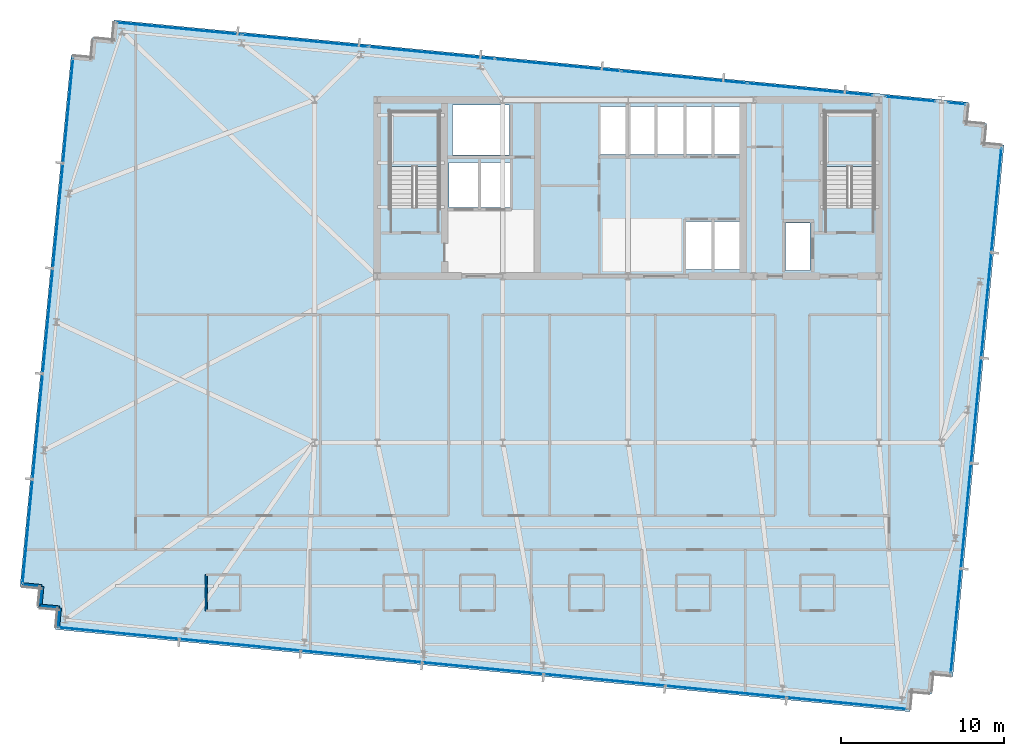
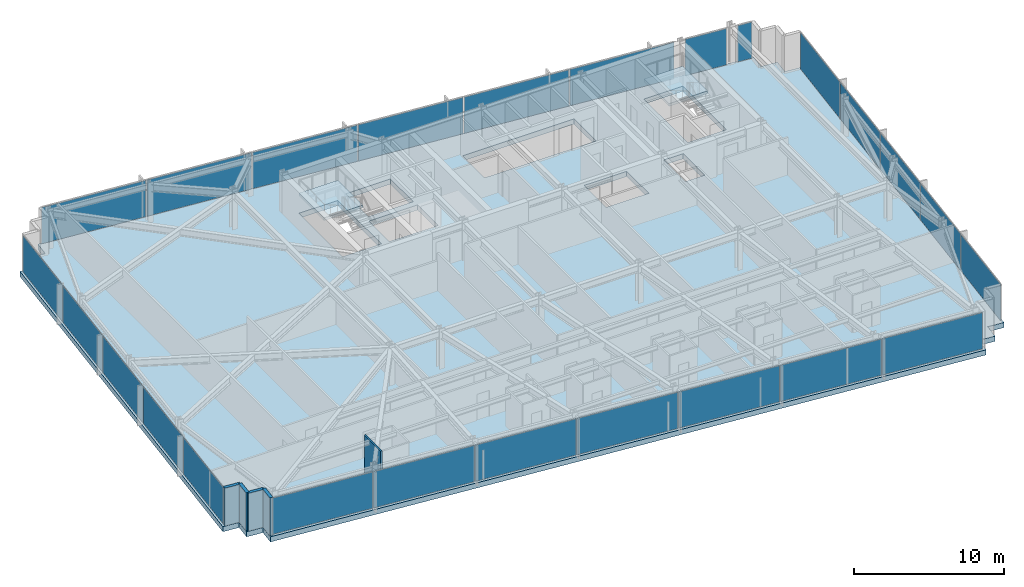
# One storey, part 28 of 37: 25 plates, 5 walls, 3 slabs, 8 elements without a shape of their own.
"""IFC4 building model written with IfcOpenShell, lengths in metres."""

from ifc_helpers import new_model, si_unit, direction, frame, frame_2d, origin, origin_2d, place, context, subcontext, project, spatial, polyline, rectangle, outline, extrude, material, layer, layer_set, type_object, element, aggregate, save


model = new_model("IFC4")

# Units and contexts
model_context = context("Model", 3, precision=1e-05, world=origin(), true_north=direction((0.0, 1.0)))
body_context = subcontext(model_context, "Body", "Model", "MODEL_VIEW")
ifc_project = project(units=[si_unit("LENGTHUNIT", "METRE"), si_unit("AREAUNIT", "SQUARE_METRE"), si_unit("VOLUMEUNIT", "CUBIC_METRE"), si_unit("PLANEANGLEUNIT", "RADIAN"), si_unit("MASSUNIT", "GRAM", prefix="KILO")], contexts=[model_context])

# Site, building, storey
site_placement = place(None, origin())
site = spatial("IfcSite", under=ifc_project, at=site_placement, CompositionType="ELEMENT")
building_placement = place(site_placement, origin())
building = spatial("IfcBuilding", under=site, at=building_placement, Name="Yelkora Congress Tower", CompositionType="ELEMENT")
storey_placement = place(building_placement, frame((0.0, 0.0, 149.0)))
storey = spatial("IfcBuildingStorey", under=building, at=storey_placement, Name="L40", CompositionType="ELEMENT", Elevation=149.0)

# Curtain wall, plates
ifc_material_1 = material(Name="Anodised aluminium and insulated glass", Category="aluminium")
curtain_wall_type = type_object("IfcCurtainWallType", Name="CW-SYS-B3", PredefinedType="NOTDEFINED", material=ifc_material_1)
curtain_wall_1_placement = place(storey_placement, origin())
curtain_wall_1 = element("IfcCurtainWall", 1, at=curtain_wall_1_placement, inside=storey, type_object=curtain_wall_type, Name="L40 Unitised Curtain Wall 5", PredefinedType="NOTDEFINED")
ifc_material_2 = material(Name="Acoustic laminated hotel glass unit B3", Category="glass")
ifc_layer_1 = layer(ifc_material_2, 0.0419921875)
ifc_layer_set_1 = layer_set([ifc_layer_1], Name="Acoustic laminated hotel glass unit B3")
plate_type = type_object("IfcPlateType", Name="PLT-PN-B3", PredefinedType="CURTAIN_PANEL", material=ifc_layer_set_1)
plate_1_placement = place(storey_placement, frame((1.61572265625, 19.75244140625, 0.06005859375), z_axis=(0.0, 0.0, 1.0), x_axis=(0.095845294465, 0.995396242473, 0.0)))
plate_1 = element("IfcPlate", 2, at=plate_1_placement, type_object=plate_type, Name="CW-B3 panel 1.1", PredefinedType="CURTAIN_PANEL", context=body_context, shape_type="SweptSolid", body=[
    extrude(rectangle(XDim=6.37890625, YDim=0.0419921875, at=origin_2d()), origin(), (0.0, 0.0, 1.0), 2.9599609375),
])
plate_2_placement = place(storey_placement, frame((2.235595703125, 26.189208984375, 0.06005859375), z_axis=(0.0, 0.0, 1.0), x_axis=(0.095845294465, 0.995396242473, 0.0)))
plate_2 = element("IfcPlate", 3, at=plate_2_placement, type_object=plate_type, Name="CW-B3 panel 2.1", PredefinedType="CURTAIN_PANEL", context=body_context, shape_type="SweptSolid", body=[
    extrude(rectangle(XDim=6.4140625, YDim=0.0419921875, at=origin_2d()), origin(), (0.0, 0.0, 1.0), 2.9599609375),
])
plate_3_placement = place(storey_placement, frame((2.85693359375, 32.643310546875, 0.06005859375), z_axis=(0.0, 0.0, 1.0), x_axis=(0.095845294465, 0.995396242473, 0.0)))
plate_3 = element("IfcPlate", 4, at=plate_3_placement, type_object=plate_type, Name="CW-B3 panel 3.1", PredefinedType="CURTAIN_PANEL", context=body_context, shape_type="SweptSolid", body=[
    extrude(rectangle(XDim=6.4140625, YDim=0.0419921875, at=origin_2d()), origin(), (0.0, 0.0, 1.0), 2.9599609375),
])
plate_4_placement = place(storey_placement, frame((3.478515625, 39.097412109375, 0.06005859375), z_axis=(0.0, 0.0, 1.0), x_axis=(0.095845294465, 0.995396242473, 0.0)))
plate_4 = element("IfcPlate", 5, at=plate_4_placement, type_object=plate_type, Name="CW-B3 panel 4.1", PredefinedType="CURTAIN_PANEL", context=body_context, shape_type="SweptSolid", body=[
    extrude(rectangle(XDim=6.4140625, YDim=0.0419921875, at=origin_2d()), origin(), (0.0, 0.0, 1.0), 2.9599609375),
])
plate_5_placement = place(storey_placement, frame((4.09814453125, 45.5341796875, 0.06005859375), z_axis=(0.0, 0.0, 1.0), x_axis=(0.095845294465, 0.995396242473, 0.0)))
plate_5 = element("IfcPlate", 6, at=plate_5_placement, type_object=plate_type, Name="CW-B3 panel 5.1", PredefinedType="CURTAIN_PANEL", context=body_context, shape_type="SweptSolid", body=[
    extrude(rectangle(XDim=6.37890625, YDim=0.0419921875, at=origin_2d()), origin(), (0.0, 0.0, 1.0), 2.9599609375),
])
aggregate(curtain_wall_1, [plate_1, plate_2, plate_3, plate_4, plate_5])

curtain_wall_2_placement = place(storey_placement, origin())
curtain_wall_2 = element("IfcCurtainWall", 7, at=curtain_wall_2_placement, inside=storey, type_object=curtain_wall_type, Name="L40 Unitised Curtain Wall 10 (1)", PredefinedType="NOTDEFINED")
plate_6_placement = place(storey_placement, frame((10.91357421875, 50.563720703125, 0.06005859375), z_axis=(0.0, 0.0, 1.0), x_axis=(0.995396316615, -0.095844524462, 0.0)))
plate_6 = element("IfcPlate", 8, at=plate_6_placement, type_object=plate_type, Name="CW-B3 panel 1.1", PredefinedType="CURTAIN_PANEL", context=body_context, shape_type="SweptSolid", body=[
    extrude(rectangle(XDim=7.663818359375, YDim=0.0419921875, at=origin_2d()), origin(), (0.0, 0.0, 1.0), 2.9599609375),
])
plate_7_placement = place(storey_placement, frame((18.629150390625, 49.82080078125, 0.06005859375), z_axis=(0.0, 0.0, 1.0), x_axis=(0.995396316615, -0.095844524462, 0.0)))
plate_7 = element("IfcPlate", 9, at=plate_7_placement, type_object=plate_type, Name="CW-B3 panel 2.1", PredefinedType="CURTAIN_PANEL", context=body_context, shape_type="SweptSolid", body=[
    extrude(rectangle(XDim=7.69873046875, YDim=0.0419921875, at=origin_2d()), origin(), (0.0, 0.0, 1.0), 2.9599609375),
])
plate_8_placement = place(storey_placement, frame((26.3623046875, 49.076171875, 0.06005859375), z_axis=(0.0, 0.0, 1.0), x_axis=(0.995396316615, -0.095844524462, 0.0)))
plate_8 = element("IfcPlate", 10, at=plate_8_placement, type_object=plate_type, Name="CW-B3 panel 3.1", PredefinedType="CURTAIN_PANEL", context=body_context, shape_type="SweptSolid", body=[
    extrude(rectangle(XDim=7.69873046875, YDim=0.0419921875, at=origin_2d()), origin(), (0.0, 0.0, 1.0), 2.9599609375),
])
plate_9_placement = place(storey_placement, frame((34.09521484375, 48.33154296875, 0.06005859375), z_axis=(0.0, 0.0, 1.0), x_axis=(0.995396316615, -0.095844524462, 0.0)))
plate_9 = element("IfcPlate", 11, at=plate_9_placement, type_object=plate_type, Name="CW-B3 panel 4.1", PredefinedType="CURTAIN_PANEL", context=body_context, shape_type="SweptSolid", body=[
    extrude(rectangle(XDim=7.69873046875, YDim=0.0419921875, at=origin_2d()), origin(), (0.0, 0.0, 1.0), 2.9599609375),
])
plate_10_placement = place(storey_placement, frame((41.828369140625, 47.5869140625, 0.06005859375), z_axis=(0.0, 0.0, 1.0), x_axis=(0.995396316615, -0.095844524462, 0.0)))
plate_10 = element("IfcPlate", 12, at=plate_10_placement, type_object=plate_type, Name="CW-B3 panel 5.1", PredefinedType="CURTAIN_PANEL", context=body_context, shape_type="SweptSolid", body=[
    extrude(rectangle(XDim=7.69873046875, YDim=0.0419921875, at=origin_2d()), origin(), (0.0, 0.0, 1.0), 2.9599609375),
])
plate_11_placement = place(storey_placement, frame((49.5439453125, 46.843994140625, 0.06005859375), z_axis=(0.0, 0.0, 1.0), x_axis=(0.995396316615, -0.095844524462, 0.0)))
plate_11 = element("IfcPlate", 13, at=plate_11_placement, type_object=plate_type, Name="CW-B3 panel 6.1", PredefinedType="CURTAIN_PANEL", context=body_context, shape_type="SweptSolid", body=[
    extrude(rectangle(XDim=7.663818359375, YDim=0.0419921875, at=origin_2d()), origin(), (0.0, 0.0, 1.0), 2.9599609375),
])
aggregate(curtain_wall_2, [plate_6, plate_7, plate_8, plate_9, plate_10, plate_11])

# Curtain wall, plate
curtain_wall_3_placement = place(storey_placement, origin())
curtain_wall_3 = element("IfcCurtainWall", 14, at=curtain_wall_3_placement, inside=storey, type_object=curtain_wall_type, Name="L40 Unitised Curtain Wall 10 (2)", PredefinedType="NOTDEFINED")
plate_12_placement = place(storey_placement, frame((55.679931640625, 46.253173828125, 0.06005859375), z_axis=(0.0, 0.0, 1.0), x_axis=(0.99539661748, -0.095841399764, 0.0)))
plate_12 = element("IfcPlate", 15, at=plate_12_placement, type_object=plate_type, Name="CW-B3 panel 1.1", PredefinedType="CURTAIN_PANEL", context=body_context, shape_type="SweptSolid", body=[
    extrude(rectangle(XDim=3.05078125, YDim=0.0419921875, at=origin_2d()), origin(), (0.0, 0.0, 1.0), 2.9599609375),
])
aggregate(curtain_wall_3, [plate_12])

curtain_wall_4_placement = place(storey_placement, origin())
curtain_wall_4 = element("IfcCurtainWall", 16, at=curtain_wall_4_placement, inside=storey, type_object=curtain_wall_type, Name="L40 Unitised Curtain Wall 10 (3)", PredefinedType="NOTDEFINED")
plate_13_placement = place(storey_placement, frame((58.520263671875, 45.979736328125, 0.06005859375), z_axis=(0.0, 0.0, 1.0), x_axis=(0.995396466547, -0.095842967325, 0.0)))
plate_13 = element("IfcPlate", 17, at=plate_13_placement, type_object=plate_type, Name="CW-B3 panel 1.1", PredefinedType="CURTAIN_PANEL", context=body_context, shape_type="SweptSolid", body=[
    extrude(rectangle(XDim=1.042236328125, YDim=0.0419921875, at=origin_2d()), origin(), (0.0, 0.0, 1.0), 2.9599609375),
])
aggregate(curtain_wall_4, [plate_13])

# Curtain wall, plates
curtain_wall_5_placement = place(storey_placement, origin())
curtain_wall_5 = element("IfcCurtainWall", 18, at=curtain_wall_5_placement, inside=storey, type_object=curtain_wall_type, Name="L40 Unitised Curtain Wall 15", PredefinedType="NOTDEFINED")
plate_14_placement = place(storey_placement, frame((60.955322265625, 40.0595703125, 0.06005859375), z_axis=(0.0, 0.0, 1.0), x_axis=(-0.095841944023, -0.995396565076, 0.0)))
plate_14 = element("IfcPlate", 19, at=plate_14_placement, type_object=plate_type, Name="CW-B3 panel 1.1", PredefinedType="CURTAIN_PANEL", context=body_context, shape_type="SweptSolid", body=[
    extrude(rectangle(XDim=6.37890625, YDim=0.0419921875, at=origin_2d()), origin(), (0.0, 0.0, 1.0), 2.9599609375),
])
plate_15_placement = place(storey_placement, frame((60.33544921875, 33.622802734375, 0.06005859375), z_axis=(0.0, 0.0, 1.0), x_axis=(-0.095841944023, -0.995396565076, 0.0)))
plate_15 = element("IfcPlate", 20, at=plate_15_placement, type_object=plate_type, Name="CW-B3 panel 2.1", PredefinedType="CURTAIN_PANEL", context=body_context, shape_type="SweptSolid", body=[
    extrude(rectangle(XDim=6.4140625, YDim=0.0419921875, at=origin_2d()), origin(), (0.0, 0.0, 1.0), 2.9599609375),
])
plate_16_placement = place(storey_placement, frame((59.714111328125, 27.168701171875, 0.06005859375), z_axis=(0.0, 0.0, 1.0), x_axis=(-0.095841944023, -0.995396565076, 0.0)))
plate_16 = element("IfcPlate", 21, at=plate_16_placement, type_object=plate_type, Name="CW-B3 panel 3.1", PredefinedType="CURTAIN_PANEL", context=body_context, shape_type="SweptSolid", body=[
    extrude(rectangle(XDim=6.4140625, YDim=0.0419921875, at=origin_2d()), origin(), (0.0, 0.0, 1.0), 2.9599609375),
])
plate_17_placement = place(storey_placement, frame((59.092529296875, 20.71435546875, 0.06005859375), z_axis=(0.0, 0.0, 1.0), x_axis=(-0.095841944023, -0.995396565076, 0.0)))
plate_17 = element("IfcPlate", 22, at=plate_17_placement, type_object=plate_type, Name="CW-B3 panel 4.1", PredefinedType="CURTAIN_PANEL", context=body_context, shape_type="SweptSolid", body=[
    extrude(rectangle(XDim=6.4140625, YDim=0.0419921875, at=origin_2d()), origin(), (0.0, 0.0, 1.0), 2.9599609375),
])
plate_18_placement = place(storey_placement, frame((58.472900390625, 14.277587890625, 0.06005859375), z_axis=(0.0, 0.0, 1.0), x_axis=(-0.095841944023, -0.995396565076, 0.0)))
plate_18 = element("IfcPlate", 23, at=plate_18_placement, type_object=plate_type, Name="CW-B3 panel 5.1", PredefinedType="CURTAIN_PANEL", context=body_context, shape_type="SweptSolid", body=[
    extrude(rectangle(XDim=6.37890625, YDim=0.0419921875, at=origin_2d()), origin(), (0.0, 0.0, 1.0), 2.9599609375),
])
aggregate(curtain_wall_5, [plate_14, plate_15, plate_16, plate_17, plate_18])

curtain_wall_6_placement = place(storey_placement, origin())
curtain_wall_6 = element("IfcCurtainWall", 24, at=curtain_wall_6_placement, inside=storey, type_object=curtain_wall_type, Name="L40 Unitised Curtain Wall 20", PredefinedType="NOTDEFINED")
plate_19_placement = place(storey_placement, frame((51.803955078125, 9.234130859375, 0.06005859375), z_axis=(0.0, 0.0, 1.0), x_axis=(-0.995396301573, 0.095844680679, 0.0)))
plate_19 = element("IfcPlate", 25, at=plate_19_placement, type_object=plate_type, Name="CW-B3 panel 1.1", PredefinedType="CURTAIN_PANEL", context=body_context, shape_type="SweptSolid", body=[
    extrude(rectangle(XDim=7.369384765625, YDim=0.0419921875, at=origin_2d()), origin(), (0.0, 0.0, 1.0), 2.9599609375),
])
plate_20_placement = place(storey_placement, frame((44.381591796875, 9.948974609375, 0.06005859375), z_axis=(0.0, 0.0, 1.0), x_axis=(-0.995396301573, 0.095844680679, 0.0)))
plate_20 = element("IfcPlate", 26, at=plate_20_placement, type_object=plate_type, Name="CW-B3 panel 2.1", PredefinedType="CURTAIN_PANEL", context=body_context, shape_type="SweptSolid", body=[
    extrude(rectangle(XDim=7.404296875, YDim=0.0419921875, at=origin_2d()), origin(), (0.0, 0.0, 1.0), 2.9599609375),
])
plate_21_placement = place(storey_placement, frame((36.941650390625, 10.665283203125, 0.06005859375), z_axis=(0.0, 0.0, 1.0), x_axis=(-0.995396301573, 0.095844680679, 0.0)))
plate_21 = element("IfcPlate", 27, at=plate_21_placement, type_object=plate_type, Name="CW-B3 panel 3.1", PredefinedType="CURTAIN_PANEL", context=body_context, shape_type="SweptSolid", body=[
    extrude(rectangle(XDim=7.404296875, YDim=0.0419921875, at=origin_2d()), origin(), (0.0, 0.0, 1.0), 2.9599609375),
])
plate_22_placement = place(storey_placement, frame((29.501708984375, 11.381591796875, 0.06005859375), z_axis=(0.0, 0.0, 1.0), x_axis=(-0.995396301573, 0.095844680679, 0.0)))
plate_22 = element("IfcPlate", 28, at=plate_22_placement, type_object=plate_type, Name="CW-B3 panel 4.1", PredefinedType="CURTAIN_PANEL", context=body_context, shape_type="SweptSolid", body=[
    extrude(rectangle(XDim=7.404296875, YDim=0.0419921875, at=origin_2d()), origin(), (0.0, 0.0, 1.0), 2.9599609375),
])
plate_23_placement = place(storey_placement, frame((22.06201171875, 12.097900390625, 0.06005859375), z_axis=(0.0, 0.0, 1.0), x_axis=(-0.995396301573, 0.095844680679, 0.0)))
plate_23 = element("IfcPlate", 29, at=plate_23_placement, type_object=plate_type, Name="CW-B3 panel 5.1", PredefinedType="CURTAIN_PANEL", context=body_context, shape_type="SweptSolid", body=[
    extrude(rectangle(XDim=7.404296875, YDim=0.0419921875, at=origin_2d()), origin(), (0.0, 0.0, 1.0), 2.9599609375),
])
plate_24_placement = place(storey_placement, frame((14.6220703125, 12.814453125, 0.06005859375), z_axis=(0.0, 0.0, 1.0), x_axis=(-0.995396301573, 0.095844680679, 0.0)))
plate_24 = element("IfcPlate", 30, at=plate_24_placement, type_object=plate_type, Name="CW-B3 panel 6.1", PredefinedType="CURTAIN_PANEL", context=body_context, shape_type="SweptSolid", body=[
    extrude(rectangle(XDim=7.404296875, YDim=0.0419921875, at=origin_2d()), origin(), (0.0, 0.0, 1.0), 2.9599609375),
])
plate_25_placement = place(storey_placement, frame((7.199462890625, 13.529052734375, 0.06005859375), z_axis=(0.0, 0.0, 1.0), x_axis=(-0.995396301573, 0.095844680679, 0.0)))
plate_25 = element("IfcPlate", 31, at=plate_25_placement, type_object=plate_type, Name="CW-B3 panel 7.1", PredefinedType="CURTAIN_PANEL", context=body_context, shape_type="SweptSolid", body=[
    extrude(rectangle(XDim=7.369384765625, YDim=0.0419921875, at=origin_2d()), origin(), (0.0, 0.0, 1.0), 2.9599609375),
])
aggregate(curtain_wall_6, [plate_19, plate_20, plate_21, plate_22, plate_23, plate_24, plate_25])

# Stair, slab
ifc_material_3 = material(Name="Concrete C40/50", Category="concrete")
stair_type = type_object("IfcStairType", Name="STAIR-HT-1420-R20-165", PredefinedType="HALF_TURN_STAIR", material=ifc_material_3)
stair_1_placement = place(storey_placement, origin())
stair_1 = element("IfcStair", 32, at=stair_1_placement, inside=storey, type_object=stair_type, Name="West Core Protected Exit Stair ST-01 (L40)", PredefinedType="HALF_TURN_STAIR")
ifc_layer_2 = layer(ifc_material_3, 0.219970703125)
ifc_layer_set_2 = layer_set([ifc_layer_2], Name="Concrete C40/50")
slab_type_1 = type_object("IfcSlabType", Name="SLAB-LANDING-220", PredefinedType="LANDING", material=ifc_layer_set_2)
slab_1_placement = place(storey_placement, frame((0.0, 0.0, 1.429931640625)))
slab_1 = element("IfcSlab", 33, at=slab_1_placement, type_object=slab_type_1, Name="ST-01 L40 Half Landing 1", PredefinedType="LANDING", context=body_context, shape_type="SweptSolid", body=[
    extrude(outline(polyline([(26.820068359375, 42.1201171875), (26.820068359375, 45.469970703125), (23.820068359375, 45.469970703125), (23.820068359375, 42.1201171875), (26.820068359375, 42.1201171875)])), origin(), (0.0, 0.0, 1.0), 0.219970703125),
])
aggregate(stair_1, [slab_1])

stair_2_placement = place(storey_placement, origin())
stair_2 = element("IfcStair", 34, at=stair_2_placement, inside=storey, type_object=stair_type, Name="East Core Protected Exit Stair ST-02 (L40)", PredefinedType="HALF_TURN_STAIR")
slab_2_placement = place(storey_placement, frame((0.0, 0.0, 1.429931640625)))
slab_2 = element("IfcSlab", 35, at=slab_2_placement, type_object=slab_type_1, Name="ST-02 L40 Half Landing 1", PredefinedType="LANDING", context=body_context, shape_type="SweptSolid", body=[
    extrude(outline(polyline([(53.4599609375, 42.1201171875), (53.4599609375, 45.469970703125), (50.4599609375, 45.469970703125), (50.4599609375, 42.1201171875), (53.4599609375, 42.1201171875)])), origin(), (0.0, 0.0, 1.0), 0.219970703125),
])
aggregate(stair_2, [slab_2])

# Slab
ifc_material_4 = material(Name="Concrete C60/75", Category="concrete")
ifc_layer_3 = layer(ifc_material_4, 0.419921875)
ifc_layer_set_3 = layer_set([ifc_layer_3], Name="Concrete C60/75")
slab_type_2 = type_object("IfcSlabType", Name="SLAB-XFER-420", PredefinedType="FLOOR", material=ifc_layer_set_3)
slab_3_placement = place(storey_placement, frame((0.0, 0.0, -0.419921875)))
element("IfcSlab", 36, at=slab_3_placement, inside=storey, type_object=slab_type_2, Name="L40 Structural Floor Slab", PredefinedType="FLOOR", context=body_context, shape_type="SweptSolid", body=[
    extrude(outline(polyline([(3.309326171875, 13.762939453125), (55.667236328125, 8.721435546875), (55.7822265625, 9.916015625), (56.976806640625, 9.801025390625), (57.091796875, 10.99560546875), (58.286376953125, 10.88037109375), (61.42041015625, 43.429931640625), (60.225830078125, 43.544921875), (60.341064453125, 44.739501953125), (59.146484375, 44.8544921875), (59.261474609375, 46.048828125), (6.90380859375, 51.09033203125), (6.78857421875, 49.89599609375), (5.59423828125, 50.010986328125), (5.479248046875, 48.81640625), (4.28466796875, 48.931396484375), (1.150390625, 16.382080078125), (2.344970703125, 16.26708984375), (2.22998046875, 15.072509765625), (3.424560546875, 14.95751953125), (3.309326171875, 13.762939453125)]), holes=[polyline([(23.820068359375, 39.6298828125), (26.820068359375, 39.6298828125), (26.820068359375, 45.469970703125), (23.820068359375, 45.469970703125), (23.820068359375, 39.6298828125)]), polyline([(50.4599609375, 39.6298828125), (53.4599609375, 39.6298828125), (53.4599609375, 45.469970703125), (50.4599609375, 45.469970703125), (50.4599609375, 39.6298828125)]), polyline([(48.050048828125, 35.75), (49.550048828125, 35.75), (49.550048828125, 38.64990234375), (48.050048828125, 38.64990234375), (48.050048828125, 35.75)]), polyline([(36.64990234375, 42.85009765625), (45.25, 42.85009765625), (45.25, 45.800048828125), (36.64990234375, 45.800048828125), (36.64990234375, 42.85009765625)]), polyline([(41.949951171875, 35.800048828125), (45.25, 35.800048828125), (45.25, 38.75), (41.949951171875, 38.75), (41.949951171875, 35.800048828125)]), polyline([(27.419921875, 39.60009765625), (31.179931640625, 39.60009765625), (31.179931640625, 42.35009765625), (27.419921875, 42.35009765625), (27.419921875, 39.60009765625)]), polyline([(27.64990234375, 42.820068359375), (31.1201171875, 42.820068359375), (31.1201171875, 45.8798828125), (27.64990234375, 45.8798828125), (27.64990234375, 42.820068359375)])]), origin(), (0.0, 0.0, 1.0), 0.419921875),
])

# Walls
ifc_layer_4 = layer(ifc_material_3, 0.239990234375)
ifc_layer_set_4 = layer_set([ifc_layer_4], Name="Concrete C40/50")
wall_type_1 = type_object("IfcWallType", Name="WALL-EXT-LIMESTONE-240", PredefinedType="SOLIDWALL", material=ifc_layer_set_4)
for number, where, z_axis, x_axis, name in (
    (37, (3.462158203125, 13.888916015625, 0.0), (0.0, 0.0, 1.0), (0.096018626938, 0.995379537303, 0.0), "L40 Serrated Corner Limestone Pier 1"),
    (38, (3.577392578125, 15.08349609375, 0.0), (0.0, 0.0, 1.0), (-0.995398960025, 0.095817067274, 0.0), "L40 Serrated Corner Limestone Pier 2"),
):
    element("IfcWall", number, at=place(storey_placement, frame(where, z_axis=z_axis, x_axis=x_axis)), inside=storey, type_object=wall_type_1, Name=name, PredefinedType="SOLIDWALL", context=body_context, shape_type="SweptSolid", body=[
        extrude(rectangle(XDim=1.2001953125, YDim=0.239990234375, at=frame_2d((0.60009765625, 0.0))), origin(), (0.0, 0.0, 1.0), 3.080078125),
    ])
wall_1_placement = place(storey_placement, frame((2.3828125, 15.198486328125, 0.0), z_axis=(0.0, 0.0, 1.0), x_axis=(0.095836473879, 0.995397091755, 0.0)))
element("IfcWall", 39, at=wall_1_placement, inside=storey, type_object=wall_type_1, Name="L40 Serrated Corner Limestone Pier 3", PredefinedType="SOLIDWALL", context=body_context, shape_type="SweptSolid", body=[
    extrude(rectangle(XDim=1.199951171875, YDim=0.239990234375, at=frame_2d((0.60009765625, 0.0))), origin(), (0.0, 0.0, 1.0), 3.080078125),
])
wall_2_placement = place(storey_placement, frame((2.497802734375, 16.392822265625, 0.0), z_axis=(0.0, 0.0, 1.0), x_axis=(-0.995398960025, 0.095817067274, 0.0)))
element("IfcWall", 40, at=wall_2_placement, inside=storey, type_object=wall_type_1, Name="L40 Serrated Corner Limestone Pier 4", PredefinedType="SOLIDWALL", context=body_context, shape_type="SweptSolid", body=[
    extrude(rectangle(XDim=1.2001953125, YDim=0.239990234375, at=frame_2d((0.60009765625, 0.0))), origin(), (0.0, 0.0, 1.0), 3.080078125),
])
ifc_material_5 = material(Name="Moisture-resistant gypsum partition", Category="gypsum")
ifc_layer_5 = layer(ifc_material_5, 0.1201171875)
ifc_layer_set_5 = layer_set([ifc_layer_5], Name="Moisture-resistant gypsum partition")
wall_type_2 = type_object("IfcWallType", Name="WALL-INT-120-NR", PredefinedType="PARTITIONING", material=ifc_layer_set_5)
wall_3_placement = place(storey_placement, frame((12.5458984375, 14.89990234375, 0.0), z_axis=(0.0, 0.0, 1.0), x_axis=(0.0, 1.0, 0.0)))
element("IfcWall", 41, at=wall_3_placement, inside=storey, type_object=wall_type_2, Name="L40 Partition Wall 28", PredefinedType="PARTITIONING", context=body_context, shape_type="SweptSolid", body=[
    extrude(rectangle(XDim=2.2001953125, YDim=0.1201171875, at=frame_2d((1.10009765625, 0.0))), origin(), (0.0, 0.0, 1.0), 3.080078125),
])

save(model, "model.ifc")
